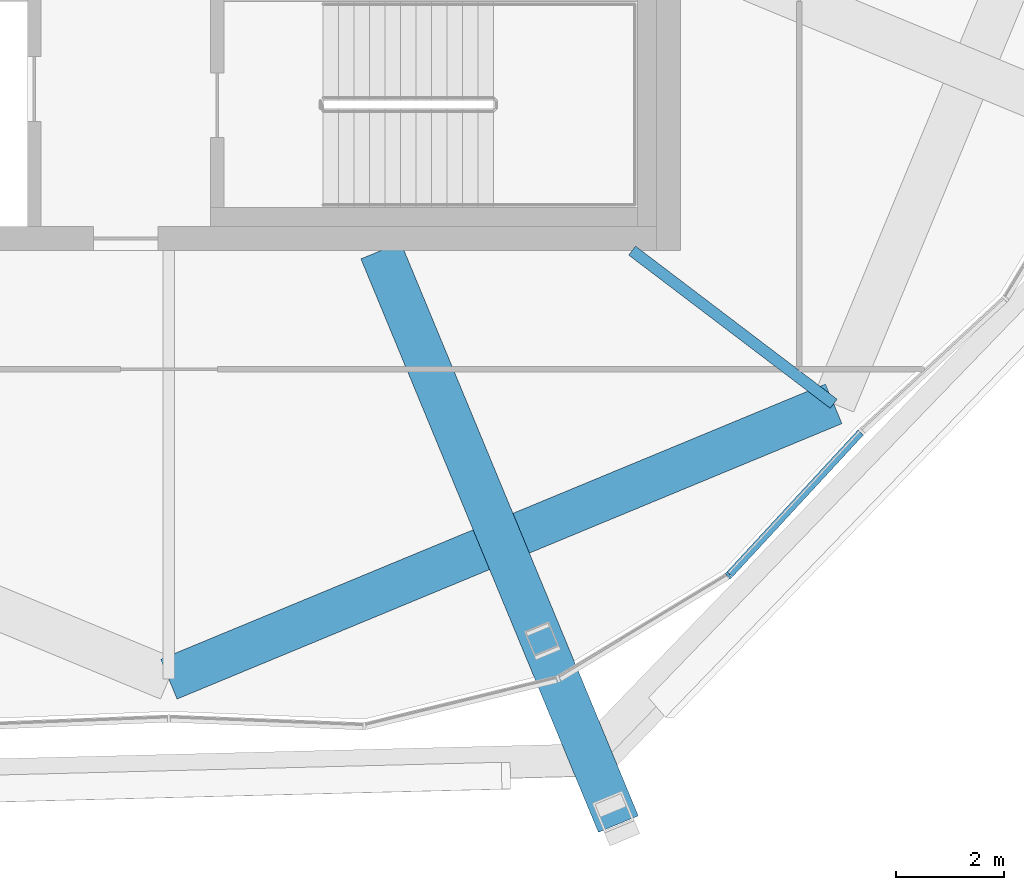
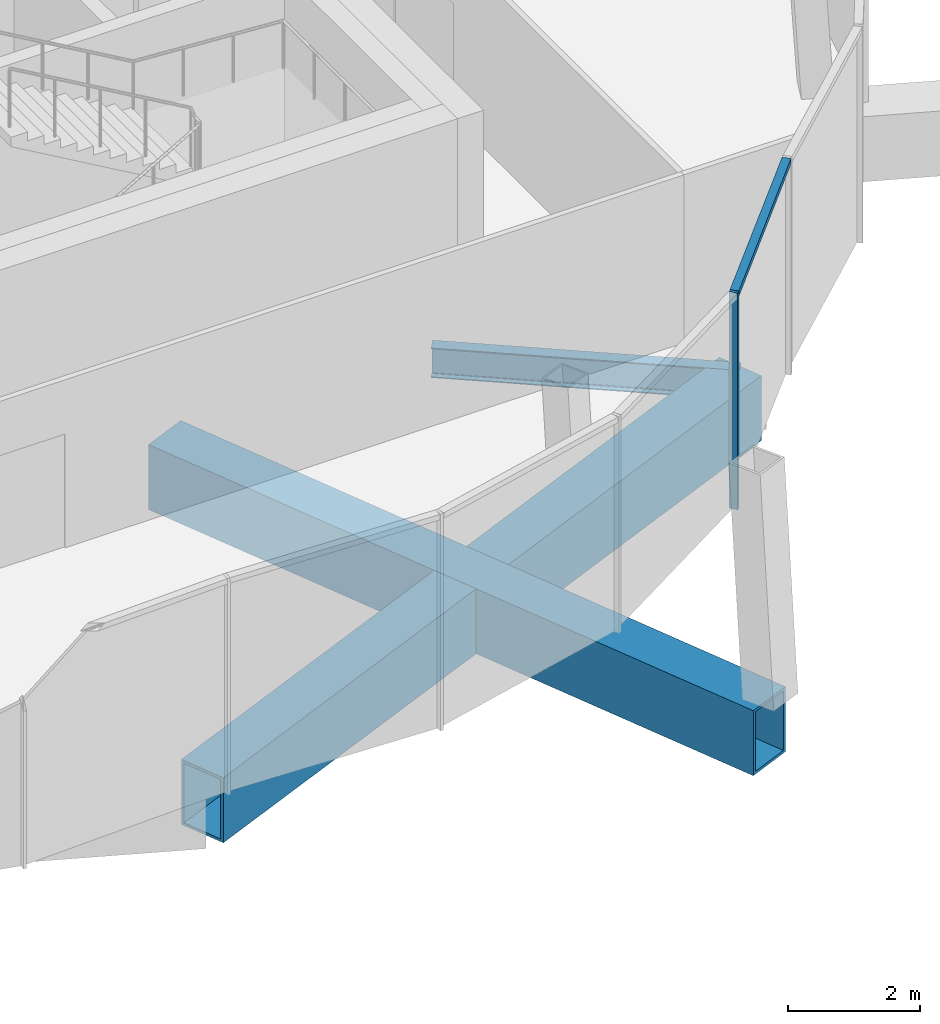
# One storey, part 4 of 34: 3 beams, 2 members, 1 element without a shape of its own.
"""IFC4 building model written with IfcOpenShell, lengths in metres."""

from ifc_helpers import new_model, si_unit, direction, frame, origin, origin_2d, place, context, subcontext, project, spatial, rectangle, hollow_rectangle, i_section, extrude, material, material_profile, profile_set, type_object, element, aggregate, save


model = new_model("IFC4")

# Units and contexts
model_context = context("Model", 3, precision=1e-05, world=origin(), true_north=direction((0.0, 1.0)))
body_context = subcontext(model_context, "Body", "Model", "MODEL_VIEW")
ifc_project = project(units=[si_unit("LENGTHUNIT", "METRE"), si_unit("AREAUNIT", "SQUARE_METRE"), si_unit("VOLUMEUNIT", "CUBIC_METRE"), si_unit("PLANEANGLEUNIT", "RADIAN"), si_unit("MASSUNIT", "GRAM", prefix="KILO")], contexts=[model_context])

# Site, building, storey
site_placement = place(None, origin())
site = spatial("IfcSite", under=ifc_project, at=site_placement, CompositionType="ELEMENT")
building_placement = place(site_placement, origin())
building = spatial("IfcBuilding", under=site, at=building_placement, Name="Ogive Gate Towers", CompositionType="ELEMENT")
storey_placement = place(building_placement, frame((0.0, 0.0, 294.0)))
storey = spatial("IfcBuildingStorey", under=building, at=storey_placement, Name="L69", CompositionType="ELEMENT", Elevation=294.0)

# Curtain wall, members
ifc_material_1 = material(Name="Pale metal aluminium", Category="aluminium")
curtain_wall_type = type_object("IfcCurtainWallType", Name="Crown lean wall", PredefinedType="NOTDEFINED", material=ifc_material_1)
curtain_wall_placement = place(storey_placement, origin())
curtain_wall = element("IfcCurtainWall", 1, at=curtain_wall_placement, inside=storey, type_object=curtain_wall_type, Name="CW5 T1 ECW07", PredefinedType="NOTDEFINED")
ifc_material_profile_1 = material_profile(ifc_material_1, rectangle(XDim=0.139892578125, YDim=0.050048828125, at=origin_2d()), Name="50 x 140 aluminium box")
ifc_profile_set_1 = profile_set([ifc_material_profile_1], Name="Pale metal aluminium")
member_type_1 = type_object("IfcMemberType", Name="Crown lean wall mullion 50 x 140", PredefinedType="MULLION", material=ifc_profile_set_1)
member_1_placement = place(storey_placement, frame((-25.6083984375, -15.529296875, -0.300048828125), z_axis=(0.0, 0.0, 1.0), x_axis=(-0.632759389826, 0.77434847103, 0.0)))
member_1 = element("IfcMember", 2, at=member_1_placement, type_object=member_type_1, Name="CW5 mullion", PredefinedType="MULLION", context=body_context, shape_type="SweptSolid", body=[
    extrude(rectangle(XDim=0.139892578125, YDim=0.050048828125, at=origin_2d()), origin(), (0.0, 0.0, 1.0), 4.0),
])
ifc_material_profile_2 = material_profile(ifc_material_1, rectangle(XDim=0.139892578125, YDim=0.10009765625, at=origin_2d()), Name="100 x 140 aluminium box")
ifc_profile_set_2 = profile_set([ifc_material_profile_2], Name="Pale metal aluminium")
member_type_2 = type_object("IfcMemberType", Name="Crown lean wall transom 100 x 140", PredefinedType="USERDEFINED", material=ifc_profile_set_2)
member_2_placement = place(storey_placement, frame((-23.1572265625, -12.876220703125, 3.64990234375), z_axis=(-0.678546090414, -0.734557828346, 0.0), x_axis=(0.734557828346, -0.678546090414, 0.0)))
member_2 = element("IfcMember", 3, at=member_2_placement, type_object=member_type_2, Name="CW5 transom", ObjectType="TRANSOM", PredefinedType="USERDEFINED", context=body_context, shape_type="SweptSolid", body=[
    extrude(rectangle(XDim=0.139892578125, YDim=0.10009765625, at=origin_2d()), origin(), (0.0, 0.0, 1.0), 3.582763671875),
])
aggregate(curtain_wall, [member_1, member_2])

# Beams
ifc_material_2 = material(Name="Steel SM460", Category="steel")
ifc_material_profile_3 = material_profile(ifc_material_2, hollow_rectangle(XDim=0.800048828125, YDim=1.199951171875, WallThickness=0.050048828125, at=origin_2d()), Name="BX 1200x800x50")
ifc_profile_set_3 = profile_set([ifc_material_profile_3], Name="Steel SM460")
beam_type_1 = type_object("IfcBeamType", Name="Edge girder BX 1200x800x50", PredefinedType="BEAM", material=ifc_profile_set_3)
beam_1_placement = place(storey_placement, frame((-36.0, -17.455078125, -0.89990234375), z_axis=(0.923876732551, 0.382690191996, 0.0), x_axis=(-0.382690191996, 0.923876732551, 0.0)))
element("IfcBeam", 4, at=beam_1_placement, inside=storey, type_object=beam_type_1, Name="T1/L69/SBM026", PredefinedType="BEAM", context=body_context, shape_type="SweptSolid", body=[
    extrude(hollow_rectangle(XDim=0.800048828125, YDim=1.199951171875, WallThickness=0.050048828125, at=origin_2d()), origin(), (0.0, 0.0, 1.0), 13.359619140625),
])
ifc_material_3 = material(Name="Steel SM355", Category="steel")
ifc_material_profile_4 = material_profile(ifc_material_3, i_section(OverallWidth=0.2099609375, OverallDepth=0.550048828125, WebThickness=0.010986328125, FlangeThickness=0.01708984375, FilletRadius=0.02392578125, at=origin_2d()), Name="IPE 550")
ifc_profile_set_4 = profile_set([ifc_material_profile_4], Name="Steel SM355")
beam_type_2 = type_object("IfcBeamType", Name="Radial floor beam IPE 550", PredefinedType="BEAM", material=ifc_profile_set_4)
beam_2_placement = place(storey_placement, frame((-27.39990234375, -9.5, -0.574951171875), z_axis=(0.796338347087, -0.604851417257, 0.0), x_axis=(0.604851417257, 0.796338347087, 0.0)))
element("IfcBeam", 5, at=beam_2_placement, inside=storey, type_object=beam_type_2, Name="T1/L69/SBM013", PredefinedType="BEAM", context=body_context, shape_type="SweptSolid", body=[
    extrude(i_section(OverallWidth=0.2099609375, OverallDepth=0.550048828125, WebThickness=0.010986328125, FlangeThickness=0.01708984375, FilletRadius=0.02392578125, at=origin_2d()), origin(), (0.0, 0.0, 1.0), 4.699462890625),
])
ifc_material_profile_5 = material_profile(ifc_material_2, hollow_rectangle(XDim=0.800048828125, YDim=1.199951171875, WallThickness=0.050048828125, at=origin_2d()), Name="BX 1200x800x50")
ifc_profile_set_5 = profile_set([ifc_material_profile_5], Name="Steel SM460")
beam_type_3 = type_object("IfcBeamType", Name="Transfer radial beam BX 1200x800x50", PredefinedType="BEAM", material=ifc_profile_set_5)
beam_3_placement = place(storey_placement, frame((-32.06494140625, -9.5, -0.89990234375), z_axis=(0.382684265017, -0.923879187615, 0.0), x_axis=(0.923879187615, 0.382684265017, 0.0)))
element("IfcBeam", 6, at=beam_3_placement, inside=storey, type_object=beam_type_3, Name="T1/L69/SBM012", PredefinedType="BEAM", context=body_context, shape_type="SweptSolid", body=[
    extrude(hollow_rectangle(XDim=0.800048828125, YDim=1.199951171875, WallThickness=0.050048828125, at=origin_2d()), origin(), (0.0, 0.0, 1.0), 11.5224609375),
])

save(model, "model.ifc")
